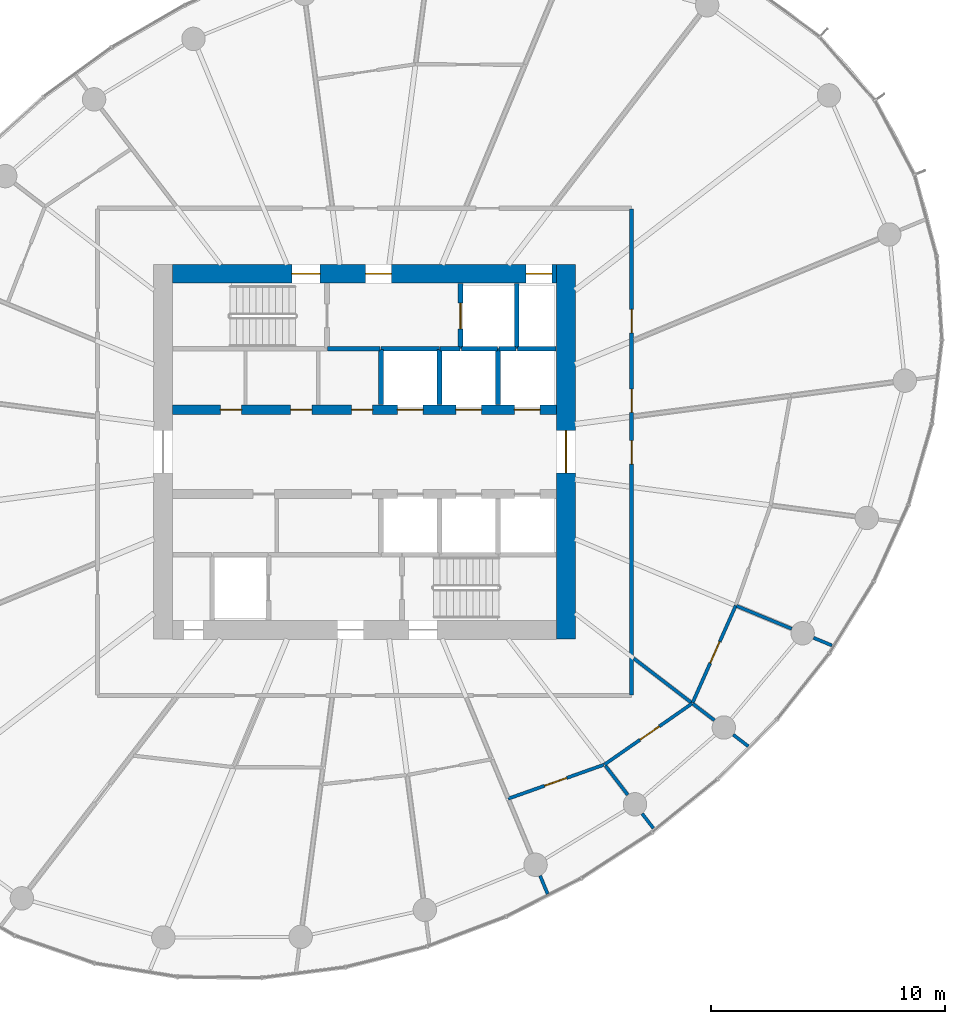
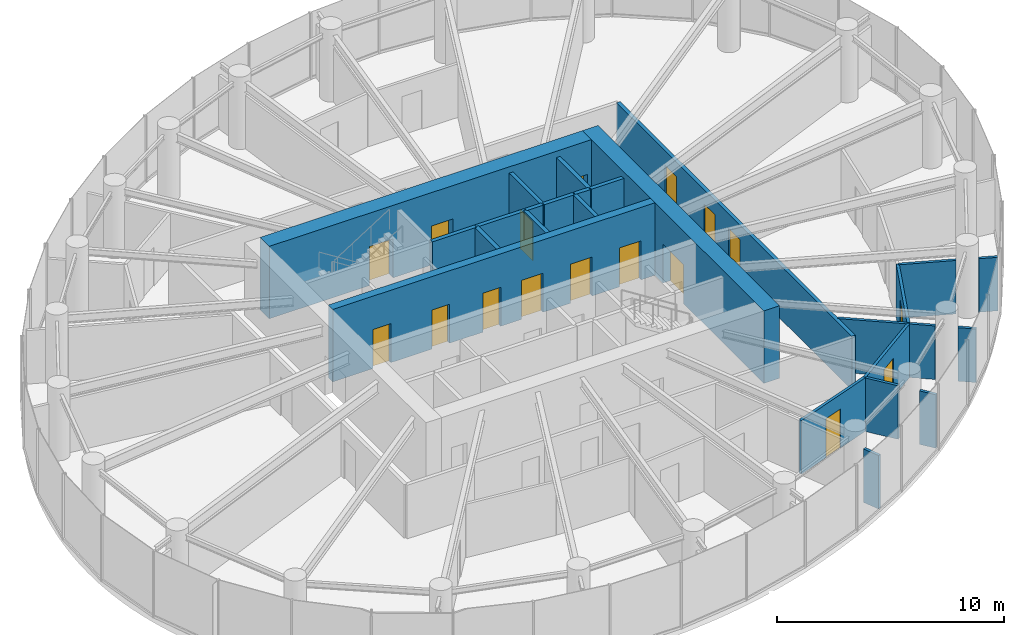
# One storey, part 10 of 14: 26 walls, 17 doors, 17 openings.
"""IFC4 building model written with IfcOpenShell, lengths in metres."""

from ifc_helpers import new_model, si_unit, direction, frame, frame_2d, origin, place, context, subcontext, project, spatial, rectangle, extrude, source, transform, mapped, material, layer, layer_set, type_object, element, fill, save


model = new_model("IFC4")

# Units and contexts
model_context = context("Model", 3, precision=1e-05, world=origin(), true_north=direction((0.0, 1.0)))
body_context = subcontext(model_context, "Body", "Model", "MODEL_VIEW")
ifc_project = project(units=[si_unit("LENGTHUNIT", "METRE"), si_unit("AREAUNIT", "SQUARE_METRE"), si_unit("VOLUMEUNIT", "CUBIC_METRE"), si_unit("PLANEANGLEUNIT", "RADIAN"), si_unit("MASSUNIT", "GRAM", prefix="KILO")], contexts=[model_context])

# Site, building, storey
site_placement = place(None, origin())
site = spatial("IfcSite", under=ifc_project, at=site_placement, CompositionType="ELEMENT")
building_placement = place(site_placement, origin())
building = spatial("IfcBuilding", under=site, at=building_placement, Name="Spindrift Exchange Tower", CompositionType="ELEMENT")
storey_placement = place(building_placement, frame((0.0, 0.0, 148.699951171875)))
storey = spatial("IfcBuildingStorey", under=building, at=storey_placement, Name="L35", CompositionType="ELEMENT", Elevation=148.699951171875)

# Wall, opening, door
ifc_material_1 = material(Name="Concrete 65 MPa", Category="concrete")
ifc_layer_1 = layer(ifc_material_1, 0.800048828125)
ifc_layer_set_1 = layer_set([ifc_layer_1], Name="RC Core Wall 800 Concrete 65 MPa")
wall_type_1 = type_object("IfcWallType", Name="RC Core Wall 800 Concrete 65 MPa", PredefinedType="SHEAR", material=ifc_layer_set_1)
wall_1_placement = place(storey_placement, frame((60.60009765625, 40.0, 0.0), z_axis=(0.0, 0.0, 1.0), x_axis=(0.0, 1.0, 0.0)))
wall_1 = element("IfcWall", 1, at=wall_1_placement, inside=storey, type_object=wall_type_1, Name="Core wall E L35", PredefinedType="SHEAR", context=body_context, shape_type="SweptSolid", body=[
    extrude(rectangle(XDim=16.0, YDim=0.800048828125, at=frame_2d((8.0, 0.0))), origin(), (0.0, 0.0, 1.0), 3.900146484375),
])
opening_1_placement = place(wall_1_placement, frame((7.10009765625, 0.0, 0.0)))
opening_1 = element("IfcOpeningElement", 2, at=opening_1_placement, cuts=wall_1, Name="Opening L35-D2", PredefinedType="OPENING", context=body_context, shape_type="SweptSolid", body=[
    extrude(rectangle(XDim=1.800048828125, YDim=2.10009765625, at=frame_2d((0.89990234375, 1.050048828125))), frame((0.0, 0.409912109375, 0.0), z_axis=(0.0, -1.0, 0.0), x_axis=(1.0, 0.0, 0.0)), (0.0, 0.0, 1.0), 0.820068359375),
])
ifc_material_2 = material(Name="Timber-core fire door", Category="wood")
door_type_1 = type_object("IfcDoorType", Name="DR-LOBBY-1800", OperationType="NOTDEFINED", PredefinedType="DOOR", material=ifc_material_2)
shared_shape_1 = source(origin(), body_context, "Body", "SweptSolid", [
    extrude(rectangle(XDim=1.800048828125, YDim=2.10009765625, at=frame_2d((0.89990234375, 1.050048828125))), frame((0.0, 0.02490234375, 0.0), z_axis=(0.0, -1.0, 0.0), x_axis=(1.0, 0.0, 0.0)), (0.0, 0.0, 1.0), 0.050048828125),
])
door_1_placement = place(opening_1_placement, origin())
door_1 = element("IfcDoor", 3, at=door_1_placement, inside=storey, type_object=door_type_1, Name="L35 Lobby door 2", OperationType="SINGLE_SWING_LEFT", OverallHeight=2.10009765625, OverallWidth=1.800048828125, PredefinedType="DOOR", context=body_context, shape_type="MappedRepresentation", body=[
    mapped(shared_shape_1, transform((0.0, 0.0, 0.0), scale=1.0)),
])
fill(opening_1, door_1)

# Wall, openings, doors
wall_2_placement = place(storey_placement, frame((60.199951171875, 55.60009765625, 0.0), z_axis=(0.0, 0.0, 1.0), x_axis=(-1.0, 0.0, 0.0)))
wall_2 = element("IfcWall", 4, at=wall_2_placement, inside=storey, type_object=wall_type_1, Name="Core wall N L35", PredefinedType="SHEAR", context=body_context, shape_type="SweptSolid", body=[
    extrude(rectangle(XDim=16.39990234375, YDim=0.800048828125, at=frame_2d((8.199951171875, 0.0))), origin(), (0.0, 0.0, 1.0), 3.900146484375),
])
opening_2_placement = place(wall_2_placement, frame((0.199951171875, 0.0, 0.0)))
opening_2 = element("IfcOpeningElement", 5, at=opening_2_placement, cuts=wall_2, Name="Opening L35-D11", PredefinedType="OPENING", context=body_context, shape_type="SweptSolid", body=[
    extrude(rectangle(XDim=1.10009765625, YDim=2.10009765625, at=frame_2d((0.550048828125, 1.050048828125))), frame((0.0, 0.409912109375, 0.0), z_axis=(0.0, -1.0, 0.0), x_axis=(1.0, 0.0, 0.0)), (0.0, 0.0, 1.0), 0.820068359375),
])
opening_3_placement = place(wall_2_placement, frame((10.10009765625, 0.0, 0.0)))
opening_3 = element("IfcOpeningElement", 6, at=opening_3_placement, cuts=wall_2, Name="Opening L35-D12", PredefinedType="OPENING", context=body_context, shape_type="SweptSolid", body=[
    extrude(rectangle(XDim=1.199951171875, YDim=2.10009765625, at=frame_2d((0.60009765625, 1.050048828125))), frame((0.0, 0.409912109375, 0.0), z_axis=(0.0, -1.0, 0.0), x_axis=(1.0, 0.0, 0.0)), (0.0, 0.0, 1.0), 0.820068359375),
])
opening_4_placement = place(wall_2_placement, frame((7.050048828125, 0.0, 0.0)))
opening_4 = element("IfcOpeningElement", 7, at=opening_4_placement, cuts=wall_2, Name="Opening L35-D14", PredefinedType="OPENING", context=body_context, shape_type="SweptSolid", body=[
    extrude(rectangle(XDim=1.10009765625, YDim=2.10009765625, at=frame_2d((0.550048828125, 1.050048828125))), frame((0.0, 0.409912109375, 0.0), z_axis=(0.0, -1.0, 0.0), x_axis=(1.0, 0.0, 0.0)), (0.0, 0.0, 1.0), 0.820068359375),
])
ifc_material_3 = material(Name="Stainless steel landing door", Category="steel")
door_type_2 = type_object("IfcDoorType", Name="DR-LANDING-1100-SL", OperationType="DOUBLE_DOOR_SLIDING", PredefinedType="USERDEFINED", material=ifc_material_3)
shared_shape_2 = source(origin(), body_context, "Body", "SweptSolid", [
    extrude(rectangle(XDim=1.10009765625, YDim=2.10009765625, at=frame_2d((0.550048828125, 1.050048828125))), frame((0.0, 0.02490234375, 0.0), z_axis=(0.0, -1.0, 0.0), x_axis=(1.0, 0.0, 0.0)), (0.0, 0.0, 1.0), 0.050048828125),
])
door_2_placement = place(opening_2_placement, origin())
door_2 = element("IfcDoor", 8, at=door_2_placement, inside=storey, type_object=door_type_2, Name="L35 Lift landing door 11", ObjectType="LANDING DOOR", OperationType="DOUBLE_DOOR_SLIDING", OverallHeight=2.10009765625, OverallWidth=1.10009765625, PredefinedType="USERDEFINED", context=body_context, shape_type="MappedRepresentation", body=[
    mapped(shared_shape_2, transform((0.0, 0.0, 0.0), scale=1.0)),
])
fill(opening_2, door_2)
ifc_material_4 = material(Name="Steel fire door", Category="steel")
door_type_3 = type_object("IfcDoorType", Name="DR-STAIR-1200", OperationType="NOTDEFINED", PredefinedType="DOOR", material=ifc_material_4)
shared_shape_3 = source(origin(), body_context, "Body", "SweptSolid", [
    extrude(rectangle(XDim=1.199951171875, YDim=2.10009765625, at=frame_2d((0.60009765625, 1.050048828125))), frame((0.0, 0.02490234375, 0.0), z_axis=(0.0, -1.0, 0.0), x_axis=(1.0, 0.0, 0.0)), (0.0, 0.0, 1.0), 0.050048828125),
])
door_3_placement = place(opening_3_placement, origin())
door_3 = element("IfcDoor", 9, at=door_3_placement, inside=storey, type_object=door_type_3, Name="L35 Stair door 12", OperationType="SINGLE_SWING_RIGHT", OverallHeight=2.10009765625, OverallWidth=1.199951171875, PredefinedType="DOOR", context=body_context, shape_type="MappedRepresentation", body=[
    mapped(shared_shape_3, transform((0.0, 0.0, 0.0), scale=1.0)),
])
fill(opening_3, door_3)
door_type_4 = type_object("IfcDoorType", Name="DR-LOBBY-1100", OperationType="NOTDEFINED", PredefinedType="DOOR", material=ifc_material_2)
shared_shape_4 = source(origin(), body_context, "Body", "SweptSolid", [
    extrude(rectangle(XDim=1.10009765625, YDim=2.10009765625, at=frame_2d((0.550048828125, 1.050048828125))), frame((0.0, 0.02490234375, 0.0), z_axis=(0.0, -1.0, 0.0), x_axis=(1.0, 0.0, 0.0)), (0.0, 0.0, 1.0), 0.050048828125),
])
door_4_placement = place(opening_4_placement, origin())
door_4 = element("IfcDoor", 10, at=door_4_placement, inside=storey, type_object=door_type_4, Name="L35 Lobby door 14", OperationType="SINGLE_SWING_RIGHT", OverallHeight=2.10009765625, OverallWidth=1.10009765625, PredefinedType="DOOR", context=body_context, shape_type="MappedRepresentation", body=[
    mapped(shared_shape_4, transform((0.0, 0.0, 0.0), scale=1.0)),
])
fill(opening_4, door_4)

ifc_layer_2 = layer(ifc_material_1, 0.39990234375)
ifc_layer_set_2 = layer_set([ifc_layer_2], Name="RC Spine Wall 400 Concrete 65 MPa")
wall_type_2 = type_object("IfcWallType", Name="RC Spine Wall 400 Concrete 65 MPa", PredefinedType="SHEAR", material=ifc_layer_set_2)
wall_3_placement = place(storey_placement, frame((43.800048828125, 49.800048828125, 0.0), z_axis=(0.0, 0.0, 1.0), x_axis=(1.0, 0.0, 0.0)))
wall_3 = element("IfcWall", 11, at=wall_3_placement, inside=storey, type_object=wall_type_2, Name="Core spine wall N L35", PredefinedType="SHEAR", context=body_context, shape_type="SweptSolid", body=[
    extrude(rectangle(XDim=16.39990234375, YDim=0.39990234375, at=frame_2d((8.199951171875, 0.0))), origin(), (0.0, 0.0, 1.0), 3.900146484375),
])
opening_5_placement = place(wall_3_placement, frame((9.60009765625, 0.0, 0.0)))
opening_5 = element("IfcOpeningElement", 12, at=opening_5_placement, cuts=wall_3, Name="Opening L35-D3", PredefinedType="OPENING", context=body_context, shape_type="SweptSolid", body=[
    extrude(rectangle(XDim=1.10009765625, YDim=2.10009765625, at=frame_2d((0.550048828125, 1.050048828125))), frame((0.0, 0.2099609375, 0.0), z_axis=(0.0, -1.0, 0.0), x_axis=(1.0, 0.0, 0.0)), (0.0, 0.0, 1.0), 0.419921875),
])
opening_6_placement = place(wall_3_placement, frame((12.10009765625, 0.0, 0.0)))
opening_6 = element("IfcOpeningElement", 13, at=opening_6_placement, cuts=wall_3, Name="Opening L35-D4", PredefinedType="OPENING", context=body_context, shape_type="SweptSolid", body=[
    extrude(rectangle(XDim=1.10009765625, YDim=2.10009765625, at=frame_2d((0.550048828125, 1.050048828125))), frame((0.0, 0.2099609375, 0.0), z_axis=(0.0, -1.0, 0.0), x_axis=(1.0, 0.0, 0.0)), (0.0, 0.0, 1.0), 0.419921875),
])
opening_7_placement = place(wall_3_placement, frame((14.60009765625, 0.0, 0.0)))
opening_7 = element("IfcOpeningElement", 14, at=opening_7_placement, cuts=wall_3, Name="Opening L35-D5", PredefinedType="OPENING", context=body_context, shape_type="SweptSolid", body=[
    extrude(rectangle(XDim=1.10009765625, YDim=2.10009765625, at=frame_2d((0.550048828125, 1.050048828125))), frame((0.0, 0.2099609375, 0.0), z_axis=(0.0, -1.0, 0.0), x_axis=(1.0, 0.0, 0.0)), (0.0, 0.0, 1.0), 0.419921875),
])
opening_8_placement = place(wall_3_placement, frame((2.050048828125, 0.0, 0.0)))
opening_8 = element("IfcOpeningElement", 15, at=opening_8_placement, cuts=wall_3, Name="Opening L35-D45", PredefinedType="OPENING", context=body_context, shape_type="SweptSolid", body=[
    extrude(rectangle(XDim=0.89990234375, YDim=2.10009765625, at=frame_2d((0.449951171875, 1.050048828125))), frame((0.0, 0.2099609375, 0.0), z_axis=(0.0, -1.0, 0.0), x_axis=(1.0, 0.0, 0.0)), (0.0, 0.0, 1.0), 0.419921875),
])
opening_9_placement = place(wall_3_placement, frame((5.050048828125, 0.0, 0.0)))
opening_9 = element("IfcOpeningElement", 16, at=opening_9_placement, cuts=wall_3, Name="Opening L35-D46", PredefinedType="OPENING", context=body_context, shape_type="SweptSolid", body=[
    extrude(rectangle(XDim=0.89990234375, YDim=2.10009765625, at=frame_2d((0.449951171875, 1.050048828125))), frame((0.0, 0.2099609375, 0.0), z_axis=(0.0, -1.0, 0.0), x_axis=(1.0, 0.0, 0.0)), (0.0, 0.0, 1.0), 0.419921875),
])
opening_10_placement = place(wall_3_placement, frame((7.64990234375, 0.0, 0.0)))
opening_10 = element("IfcOpeningElement", 17, at=opening_10_placement, cuts=wall_3, Name="Opening L35-D47", PredefinedType="OPENING", context=body_context, shape_type="SweptSolid", body=[
    extrude(rectangle(XDim=0.89990234375, YDim=2.10009765625, at=frame_2d((0.449951171875, 1.050048828125))), frame((0.0, 0.2099609375, 0.0), z_axis=(0.0, -1.0, 0.0), x_axis=(1.0, 0.0, 0.0)), (0.0, 0.0, 1.0), 0.419921875),
])
door_5_placement = place(opening_5_placement, origin())
door_5 = element("IfcDoor", 18, at=door_5_placement, inside=storey, type_object=door_type_2, Name="L35 Lift landing door 3", ObjectType="LANDING DOOR", OperationType="DOUBLE_DOOR_SLIDING", OverallHeight=2.10009765625, OverallWidth=1.10009765625, PredefinedType="USERDEFINED", context=body_context, shape_type="MappedRepresentation", body=[
    mapped(shared_shape_2, transform((0.0, 0.0, 0.0), scale=1.0)),
])
fill(opening_5, door_5)
door_6_placement = place(opening_6_placement, origin())
door_6 = element("IfcDoor", 19, at=door_6_placement, inside=storey, type_object=door_type_2, Name="L35 Lift landing door 4", ObjectType="LANDING DOOR", OperationType="DOUBLE_DOOR_SLIDING", OverallHeight=2.10009765625, OverallWidth=1.10009765625, PredefinedType="USERDEFINED", context=body_context, shape_type="MappedRepresentation", body=[
    mapped(shared_shape_2, transform((0.0, 0.0, 0.0), scale=1.0)),
])
fill(opening_6, door_6)
door_7_placement = place(opening_7_placement, origin())
door_7 = element("IfcDoor", 20, at=door_7_placement, inside=storey, type_object=door_type_2, Name="L35 Lift landing door 5", ObjectType="LANDING DOOR", OperationType="DOUBLE_DOOR_SLIDING", OverallHeight=2.10009765625, OverallWidth=1.10009765625, PredefinedType="USERDEFINED", context=body_context, shape_type="MappedRepresentation", body=[
    mapped(shared_shape_2, transform((0.0, 0.0, 0.0), scale=1.0)),
])
fill(opening_7, door_7)
ifc_material_5 = material(Name="Steel access door", Category="steel")
door_type_5 = type_object("IfcDoorType", Name="DR-RISER-900", OperationType="NOTDEFINED", PredefinedType="DOOR", material=ifc_material_5)
shared_shape_5 = source(origin(), body_context, "Body", "SweptSolid", [
    extrude(rectangle(XDim=0.89990234375, YDim=2.10009765625, at=frame_2d((0.449951171875, 1.050048828125))), frame((0.0, 0.02490234375, 0.0), z_axis=(0.0, -1.0, 0.0), x_axis=(1.0, 0.0, 0.0)), (0.0, 0.0, 1.0), 0.050048828125),
])
door_8_placement = place(opening_8_placement, origin())
door_8 = element("IfcDoor", 21, at=door_8_placement, inside=storey, type_object=door_type_5, Name="L35 Riser door 45", OperationType="SINGLE_SWING_LEFT", OverallHeight=2.10009765625, OverallWidth=0.89990234375, PredefinedType="DOOR", context=body_context, shape_type="MappedRepresentation", body=[
    mapped(shared_shape_5, transform((0.0, 0.0, 0.0), scale=1.0)),
])
fill(opening_8, door_8)
door_9_placement = place(opening_9_placement, origin())
door_9 = element("IfcDoor", 22, at=door_9_placement, inside=storey, type_object=door_type_5, Name="L35 Riser door 46", OperationType="SINGLE_SWING_RIGHT", OverallHeight=2.10009765625, OverallWidth=0.89990234375, PredefinedType="DOOR", context=body_context, shape_type="MappedRepresentation", body=[
    mapped(shared_shape_5, transform((0.0, 0.0, 0.0), scale=1.0)),
])
fill(opening_9, door_9)
door_10_placement = place(opening_10_placement, origin())
door_10 = element("IfcDoor", 23, at=door_10_placement, inside=storey, type_object=door_type_5, Name="L35 Riser door 47", OperationType="SINGLE_SWING_LEFT", OverallHeight=2.10009765625, OverallWidth=0.89990234375, PredefinedType="DOOR", context=body_context, shape_type="MappedRepresentation", body=[
    mapped(shared_shape_5, transform((0.0, 0.0, 0.0), scale=1.0)),
])
fill(opening_10, door_10)

ifc_material_6 = material(Name="Fire-rated plasterboard partition", Category="gypsum")
ifc_layer_3 = layer(ifc_material_6, 0.179931640625)
ifc_layer_set_3 = layer_set([ifc_layer_3], Name="W-CORR-180")
wall_type_3 = type_object("IfcWallType", Name="W-CORR-180", PredefinedType="PARTITIONING", material=ifc_layer_set_3)
wall_4_placement = place(storey_placement, frame((63.39990234375, 58.3701171875, 0.0), z_axis=(0.0, 0.0, 1.0), x_axis=(0.0, -1.0, 0.0)))
wall_4 = element("IfcWall", 24, at=wall_4_placement, inside=storey, type_object=wall_type_3, Name="L35 Partition wall 29", PredefinedType="PARTITIONING", context=body_context, shape_type="SweptSolid", body=[
    extrude(rectangle(XDim=20.740234375, YDim=0.179931640625, at=frame_2d((10.3701171875, 0.0))), origin(), (0.0, 0.0, 1.0), 2.880126953125),
])
opening_11_placement = place(wall_4_placement, frame((9.889892578125, 0.0, 0.0)))
opening_11 = element("IfcOpeningElement", 25, at=opening_11_placement, cuts=wall_4, Name="Opening L35-D28", PredefinedType="OPENING", context=body_context, shape_type="SweptSolid", body=[
    extrude(rectangle(XDim=1.0, YDim=2.10009765625, at=frame_2d((0.5, 1.050048828125))), frame((0.0, 0.099853515625, 0.0), z_axis=(0.0, -1.0, 0.0), x_axis=(1.0, 0.0, 0.0)), (0.0, 0.0, 1.0), 0.199951171875),
])
opening_12_placement = place(wall_4_placement, frame((7.68994140625, 0.0, 0.0)))
opening_12 = element("IfcOpeningElement", 26, at=opening_12_placement, cuts=wall_4, Name="Opening L35-D32", PredefinedType="OPENING", context=body_context, shape_type="SweptSolid", body=[
    extrude(rectangle(XDim=1.0, YDim=2.10009765625, at=frame_2d((0.5, 1.050048828125))), frame((0.0, 0.099853515625, 0.0), z_axis=(0.0, -1.0, 0.0), x_axis=(1.0, 0.0, 0.0)), (0.0, 0.0, 1.0), 0.199951171875),
])
opening_13_placement = place(wall_4_placement, frame((4.2900390625, 0.0, 0.0)))
opening_13 = element("IfcOpeningElement", 27, at=opening_13_placement, cuts=wall_4, Name="Opening L35-D33", PredefinedType="OPENING", context=body_context, shape_type="SweptSolid", body=[
    extrude(rectangle(XDim=1.0, YDim=2.10009765625, at=frame_2d((0.5, 1.050048828125))), frame((0.0, 0.099853515625, 0.0), z_axis=(0.0, -1.0, 0.0), x_axis=(1.0, 0.0, 0.0)), (0.0, 0.0, 1.0), 0.199951171875),
])
door_type_6 = type_object("IfcDoorType", Name="DR-ROOM-1000", OperationType="NOTDEFINED", PredefinedType="DOOR", material=ifc_material_2)
shared_shape_6 = source(origin(), body_context, "Body", "SweptSolid", [
    extrude(rectangle(XDim=1.0, YDim=2.10009765625, at=frame_2d((0.5, 1.050048828125))), frame((0.0, 0.02490234375, 0.0), z_axis=(0.0, -1.0, 0.0), x_axis=(1.0, 0.0, 0.0)), (0.0, 0.0, 1.0), 0.050048828125),
])
door_11_placement = place(opening_11_placement, origin())
door_11 = element("IfcDoor", 28, at=door_11_placement, inside=storey, type_object=door_type_6, Name="L35 Door 28", OperationType="SINGLE_SWING_RIGHT", OverallHeight=2.10009765625, OverallWidth=1.0, PredefinedType="DOOR", context=body_context, shape_type="MappedRepresentation", body=[
    mapped(shared_shape_6, transform((0.0, 0.0, 0.0), scale=1.0)),
])
fill(opening_11, door_11)
door_12_placement = place(opening_12_placement, origin())
door_12 = element("IfcDoor", 29, at=door_12_placement, inside=storey, type_object=door_type_6, Name="L35 Door 32", OperationType="SINGLE_SWING_RIGHT", OverallHeight=2.10009765625, OverallWidth=1.0, PredefinedType="DOOR", context=body_context, shape_type="MappedRepresentation", body=[
    mapped(shared_shape_6, transform((0.0, 0.0, 0.0), scale=1.0)),
])
fill(opening_12, door_12)
door_13_placement = place(opening_13_placement, origin())
door_13 = element("IfcDoor", 30, at=door_13_placement, inside=storey, type_object=door_type_6, Name="L35 Door 33", OperationType="SINGLE_SWING_LEFT", OverallHeight=2.10009765625, OverallWidth=1.0, PredefinedType="DOOR", context=body_context, shape_type="MappedRepresentation", body=[
    mapped(shared_shape_6, transform((0.0, 0.0, 0.0), scale=1.0)),
])
fill(opening_13, door_13)

# Wall, opening, door
ifc_layer_4 = layer(ifc_material_6, 0.139892578125)
ifc_layer_set_4 = layer_set([ifc_layer_4], Name="W-PART-140")
wall_type_4 = type_object("IfcWallType", Name="W-PART-140", PredefinedType="PARTITIONING", material=ifc_layer_set_4)
wall_5_placement = place(storey_placement, frame((65.9912109375, 37.26416015625, 0.0), z_axis=(0.0, 0.0, 1.0), x_axis=(-0.820422470547, -0.571757789471, 0.0)))
wall_5 = element("IfcWall", 31, at=wall_5_placement, inside=storey, type_object=wall_type_4, Name="L35 Partition wall 45", PredefinedType="PARTITIONING", context=body_context, shape_type="SweptSolid", body=[
    extrude(rectangle(XDim=4.5693359375, YDim=0.139892578125, at=frame_2d((2.28466796875, 0.0))), origin(), (0.0, 0.0, 1.0), 2.880126953125),
])
opening_14_placement = place(wall_5_placement, frame((1.71923828125, 0.0, 0.0)))
opening_14 = element("IfcOpeningElement", 32, at=opening_14_placement, cuts=wall_5, Name="Opening L35-D27", PredefinedType="OPENING", context=body_context, shape_type="SweptSolid", body=[
    extrude(rectangle(XDim=1.0, YDim=2.10009765625, at=frame_2d((0.5, 1.050048828125))), frame((0.0, 0.079833984375, 0.0), z_axis=(0.0, -1.0, 0.0), x_axis=(1.0, 0.0, 0.0)), (0.0, 0.0, 1.0), 0.159912109375),
])
door_14_placement = place(opening_14_placement, origin())
door_14 = element("IfcDoor", 33, at=door_14_placement, inside=storey, type_object=door_type_6, Name="L35 Door 27", OperationType="SINGLE_SWING_LEFT", OverallHeight=2.10009765625, OverallWidth=1.0, PredefinedType="DOOR", context=body_context, shape_type="MappedRepresentation", body=[
    mapped(shared_shape_6, transform((0.0, 0.0, 0.0), scale=1.0)),
])
fill(opening_14, door_14)

wall_6_placement = place(storey_placement, frame((67.84716796875, 41.435791015625, 0.0), z_axis=(0.0, 0.0, 1.0), x_axis=(-0.406478027922, -0.913660556671, 0.0)))
wall_6 = element("IfcWall", 34, at=wall_6_placement, inside=storey, type_object=wall_type_4, Name="L35 Partition wall 46", PredefinedType="PARTITIONING", context=body_context, shape_type="SweptSolid", body=[
    extrude(rectangle(XDim=4.535888671875, YDim=0.139892578125, at=frame_2d((2.26806640625, 0.0))), origin(), (0.0, 0.0, 1.0), 2.880126953125),
])
opening_15_placement = place(wall_6_placement, frame((1.68603515625, 0.0, 0.0)))
opening_15 = element("IfcOpeningElement", 35, at=opening_15_placement, cuts=wall_6, Name="Opening L35-D29", PredefinedType="OPENING", context=body_context, shape_type="SweptSolid", body=[
    extrude(rectangle(XDim=1.0, YDim=2.10009765625, at=frame_2d((0.5, 1.050048828125))), frame((0.0, 0.079833984375, 0.0), z_axis=(0.0, -1.0, 0.0), x_axis=(1.0, 0.0, 0.0)), (0.0, 0.0, 1.0), 0.159912109375),
])
door_15_placement = place(opening_15_placement, origin())
door_15 = element("IfcDoor", 36, at=door_15_placement, inside=storey, type_object=door_type_6, Name="L35 Door 29", OperationType="SINGLE_SWING_LEFT", OverallHeight=2.10009765625, OverallWidth=1.0, PredefinedType="DOOR", context=body_context, shape_type="MappedRepresentation", body=[
    mapped(shared_shape_6, transform((0.0, 0.0, 0.0), scale=1.0)),
])
fill(opening_15, door_15)

wall_7_placement = place(storey_placement, frame((62.214111328125, 34.6416015625, 0.0), z_axis=(0.0, 0.0, 1.0), x_axis=(-0.942495933597, -0.33421761646, 0.0)))
wall_7 = element("IfcWall", 37, at=wall_7_placement, inside=storey, type_object=wall_type_4, Name="L35 Partition wall 52", PredefinedType="PARTITIONING", context=body_context, shape_type="SweptSolid", body=[
    extrude(rectangle(XDim=4.330322265625, YDim=0.139892578125, at=frame_2d((2.1650390625, 0.0))), origin(), (0.0, 0.0, 1.0), 2.880126953125),
])
opening_16_placement = place(wall_7_placement, frame((1.6806640625, 0.0, 0.0)))
opening_16 = element("IfcOpeningElement", 38, at=opening_16_placement, cuts=wall_7, Name="Opening L35-D26", PredefinedType="OPENING", context=body_context, shape_type="SweptSolid", body=[
    extrude(rectangle(XDim=1.0, YDim=2.10009765625, at=frame_2d((0.5, 1.050048828125))), frame((0.0, 0.079833984375, 0.0), z_axis=(0.0, -1.0, 0.0), x_axis=(1.0, 0.0, 0.0)), (0.0, 0.0, 1.0), 0.159912109375),
])
door_16_placement = place(opening_16_placement, origin())
door_16 = element("IfcDoor", 39, at=door_16_placement, inside=storey, type_object=door_type_6, Name="L35 Door 26", OperationType="SINGLE_SWING_RIGHT", OverallHeight=2.10009765625, OverallWidth=1.0, PredefinedType="DOOR", context=body_context, shape_type="MappedRepresentation", body=[
    mapped(shared_shape_6, transform((0.0, 0.0, 0.0), scale=1.0)),
])
fill(opening_16, door_16)

# Walls
wall_8_placement = place(storey_placement, frame((63.489990234375, 39.183349609375, 0.0), z_axis=(0.0, 0.0, 1.0), x_axis=(0.793377890256, -0.608729433535, 0.0)))
element("IfcWall", 40, at=wall_8_placement, inside=storey, type_object=wall_type_4, Name="L35 Partition wall 60", PredefinedType="PARTITIONING", context=body_context, shape_type="SweptSolid", body=[
    extrude(rectangle(XDim=3.079345703125, YDim=0.139892578125, at=frame_2d((1.53955078125, 0.0))), origin(), (0.0, 0.0, 1.0), 2.880126953125),
])
wall_9_placement = place(storey_placement, frame((67.874755859375, 41.424560546875, 0.0), z_axis=(0.0, 0.0, 1.0), x_axis=(0.923861761945, -0.382726331491, 0.0)))
element("IfcWall", 41, at=wall_9_placement, inside=storey, type_object=wall_type_4, Name="L35 Partition wall 63", PredefinedType="PARTITIONING", context=body_context, shape_type="SweptSolid", body=[
    extrude(rectangle(XDim=2.55224609375, YDim=0.139892578125, at=frame_2d((1.276123046875, 0.0))), origin(), (0.0, 0.0, 1.0), 2.880126953125),
])
wall_10_placement = place(storey_placement, frame((62.28515625, 34.59619140625, 0.0), z_axis=(0.0, 0.0, 1.0), x_axis=(0.608683936364, -0.793412796476, 0.0)))
element("IfcWall", 42, at=wall_10_placement, inside=storey, type_object=wall_type_4, Name="L35 Partition wall 69", PredefinedType="PARTITIONING", context=body_context, shape_type="SweptSolid", body=[
    extrude(rectangle(XDim=1.5634765625, YDim=0.139892578125, at=frame_2d((0.78173828125, 0.0))), origin(), (0.0, 0.0, 1.0), 2.880126953125),
])
wall_11_placement = place(storey_placement, frame((66.01513671875, 37.245849609375, 0.0), z_axis=(0.0, 0.0, 1.0), x_axis=(0.793288065576, -0.608846487233, 0.0)))
element("IfcWall", 43, at=wall_11_placement, inside=storey, type_object=wall_type_4, Name="L35 Partition wall 73", PredefinedType="PARTITIONING", context=body_context, shape_type="SweptSolid", body=[
    extrude(rectangle(XDim=1.160888671875, YDim=0.139892578125, at=frame_2d((0.58056640625, 0.0))), origin(), (0.0, 0.0, 1.0), 2.880126953125),
])
wall_12_placement = place(storey_placement, frame((71.166015625, 40.061279296875, 0.0), z_axis=(0.0, 0.0, 1.0), x_axis=(0.923855963606, -0.38274032778, 0.0)))
element("IfcWall", 44, at=wall_12_placement, inside=storey, type_object=wall_type_4, Name="L35 Partition wall 85", PredefinedType="PARTITIONING", context=body_context, shape_type="SweptSolid", body=[
    extrude(rectangle(XDim=0.850830078125, YDim=0.139892578125, at=frame_2d((0.42529296875, 0.0))), origin(), (0.0, 0.0, 1.0), 2.880126953125),
])
wall_13_placement = place(storey_placement, frame((59.494140625, 29.90771484375, 0.0), z_axis=(0.0, 0.0, 1.0), x_axis=(0.382581654882, -0.923921683558, 0.0)))
element("IfcWall", 45, at=wall_13_placement, inside=storey, type_object=wall_type_4, Name="L35 Partition wall 86", PredefinedType="PARTITIONING", context=body_context, shape_type="SweptSolid", body=[
    extrude(rectangle(XDim=0.84423828125, YDim=0.139892578125, at=frame_2d((0.422119140625, 0.0))), origin(), (0.0, 0.0, 1.0), 2.880126953125),
])
wall_14_placement = place(storey_placement, frame((67.736572265625, 35.9248046875, 0.0), z_axis=(0.0, 0.0, 1.0), x_axis=(0.79344724315, -0.608639032873, 0.0)))
element("IfcWall", 46, at=wall_14_placement, inside=storey, type_object=wall_type_4, Name="L35 Partition wall 87", PredefinedType="PARTITIONING", context=body_context, shape_type="SweptSolid", body=[
    extrude(rectangle(XDim=0.815185546875, YDim=0.139892578125, at=frame_2d((0.40771484375, 0.0))), origin(), (0.0, 0.0, 1.0), 2.880126953125),
])
wall_15_placement = place(storey_placement, frame((63.85107421875, 32.555419921875, 0.0), z_axis=(0.0, 0.0, 1.0), x_axis=(0.608886809997, -0.793257116332, 0.0)))
element("IfcWall", 47, at=wall_15_placement, inside=storey, type_object=wall_type_4, Name="L35 Partition wall 89", PredefinedType="PARTITIONING", context=body_context, shape_type="SweptSolid", body=[
    extrude(rectangle(XDim=0.787841796875, YDim=0.139892578125, at=frame_2d((0.39404296875, 0.0))), origin(), (0.0, 0.0, 1.0), 2.880126953125),
])

# Wall, opening, door
ifc_material_7 = material(Name="Concrete 40 MPa", Category="concrete")
ifc_layer_5 = layer(ifc_material_7, 0.199951171875)
ifc_layer_set_5 = layer_set([ifc_layer_5], Name="W-SHAFT-200")
wall_type_5 = type_object("IfcWallType", Name="W-SHAFT-200", PredefinedType="SOLIDWALL", material=ifc_layer_set_5)
wall_16_placement = place(storey_placement, frame((56.10009765625, 55.179931640625, 0.0), z_axis=(0.0, 0.0, 1.0), x_axis=(0.0, -1.0, 0.0)))
wall_16 = element("IfcWall", 48, at=wall_16_placement, inside=storey, type_object=wall_type_5, Name="L35 Shaft wall 7", PredefinedType="SOLIDWALL", context=body_context, shape_type="SweptSolid", body=[
    extrude(rectangle(XDim=2.780029296875, YDim=0.199951171875, at=frame_2d((1.39013671875, 0.0))), origin(), (0.0, 0.0, 1.0), 3.580078125),
])
opening_17_placement = place(wall_16_placement, frame((0.830078125, 0.0, 0.0)))
opening_17 = element("IfcOpeningElement", 49, at=opening_17_placement, cuts=wall_16, Name="Opening L35-D9", PredefinedType="OPENING", context=body_context, shape_type="SweptSolid", body=[
    extrude(rectangle(XDim=1.10009765625, YDim=2.10009765625, at=frame_2d((0.550048828125, 1.050048828125))), frame((0.0, 0.10986328125, 0.0), z_axis=(0.0, -1.0, 0.0), x_axis=(1.0, 0.0, 0.0)), (0.0, 0.0, 1.0), 0.219970703125),
])
door_17_placement = place(opening_17_placement, origin())
door_17 = element("IfcDoor", 50, at=door_17_placement, inside=storey, type_object=door_type_2, Name="L35 Lift landing door 9", ObjectType="LANDING DOOR", OperationType="DOUBLE_DOOR_SLIDING", OverallHeight=2.10009765625, OverallWidth=1.10009765625, PredefinedType="USERDEFINED", context=body_context, shape_type="MappedRepresentation", body=[
    mapped(shared_shape_2, transform((0.0, 0.0, 0.0), scale=1.0)),
])
fill(opening_17, door_17)

# Walls
wall_17_placement = place(storey_placement, frame((58.5, 52.39990234375, 0.0), z_axis=(0.0, 0.0, 1.0), x_axis=(0.0, 1.0, 0.0)))
element("IfcWall", 51, at=wall_17_placement, inside=storey, type_object=wall_type_5, Name="L35 Shaft wall 8", PredefinedType="SOLIDWALL", context=body_context, shape_type="SweptSolid", body=[
    extrude(rectangle(XDim=2.780029296875, YDim=0.199951171875, at=frame_2d((1.39013671875, 0.0))), origin(), (0.0, 0.0, 1.0), 3.580078125),
])
wall_18_placement = place(storey_placement, frame((55.199951171875, 52.39990234375, 0.0), z_axis=(0.0, 0.0, 1.0), x_axis=(-1.0, 0.0, 0.0)))
element("IfcWall", 52, at=wall_18_placement, inside=storey, type_object=wall_type_5, Name="L35 Shaft wall 9", PredefinedType="SOLIDWALL", context=body_context, shape_type="SweptSolid", body=[
    extrude(rectangle(XDim=2.5, YDim=0.199951171875, at=frame_2d((1.25, 0.0))), origin(), (0.0, 0.0, 1.0), 3.580078125),
])
for number, where, z_axis, x_axis, name in (
    (53, (52.699951171875, 52.3701171875, 0.0), (0.0, 0.0, 1.0), (0.0, -1.0, 0.0), "L35 Shaft wall 14"),
    (54, (55.199951171875, 50.010009765625, 0.0), (0.0, 0.0, 1.0), (0.0, 1.0, 0.0), "L35 Shaft wall 16"),
):
    element("IfcWall", number, at=place(storey_placement, frame(where, z_axis=z_axis, x_axis=x_axis)), inside=storey, type_object=wall_type_5, Name=name, PredefinedType="SOLIDWALL", context=body_context, shape_type="SweptSolid", body=[
        extrude(rectangle(XDim=2.360107421875, YDim=0.199951171875, at=frame_2d((1.18017578125, 0.0))), origin(), (0.0, 0.0, 1.0), 3.580078125),
    ])
wall_19_placement = place(storey_placement, frame((57.699951171875, 50.010009765625, 0.0), z_axis=(0.0, 0.0, 1.0), x_axis=(0.0, 1.0, 0.0)))
element("IfcWall", 55, at=wall_19_placement, inside=storey, type_object=wall_type_5, Name="L35 Shaft wall 18", PredefinedType="SOLIDWALL", context=body_context, shape_type="SweptSolid", body=[
    extrude(rectangle(XDim=2.389892578125, YDim=0.199951171875, at=frame_2d((1.19482421875, 0.0))), origin(), (0.0, 0.0, 1.0), 3.580078125),
])
wall_20_placement = place(storey_placement, frame((60.179931640625, 52.39990234375, 0.0), z_axis=(0.0, 0.0, 1.0), x_axis=(-1.0, 0.0, 0.0)))
element("IfcWall", 56, at=wall_20_placement, inside=storey, type_object=wall_type_5, Name="L35 Shaft wall 21", PredefinedType="SOLIDWALL", context=body_context, shape_type="SweptSolid", body=[
    extrude(rectangle(XDim=1.64990234375, YDim=0.199951171875, at=frame_2d((0.824951171875, 0.0))), origin(), (0.0, 0.0, 1.0), 3.580078125),
])
wall_21_placement = place(storey_placement, frame((57.669921875, 52.39990234375, 0.0), z_axis=(0.0, 0.0, 1.0), x_axis=(-1.0, 0.0, 0.0)))
element("IfcWall", 57, at=wall_21_placement, inside=storey, type_object=wall_type_5, Name="L35 Shaft wall 23", PredefinedType="SOLIDWALL", context=body_context, shape_type="SweptSolid", body=[
    extrude(rectangle(XDim=1.5400390625, YDim=0.199951171875, at=frame_2d((0.77001953125, 0.0))), origin(), (0.0, 0.0, 1.0), 3.580078125),
])
wall_22_placement = place(storey_placement, frame((56.070068359375, 52.39990234375, 0.0), z_axis=(0.0, 0.0, 1.0), x_axis=(-1.0, 0.0, 0.0)))
element("IfcWall", 58, at=wall_22_placement, inside=storey, type_object=wall_type_5, Name="L35 Shaft wall 25", PredefinedType="SOLIDWALL", context=body_context, shape_type="SweptSolid", body=[
    extrude(rectangle(XDim=0.840087890625, YDim=0.199951171875, at=frame_2d((0.419921875, 0.0))), origin(), (0.0, 0.0, 1.0), 3.580078125),
])
wall_23_placement = place(storey_placement, frame((58.469970703125, 52.39990234375, 0.0), z_axis=(0.0, 0.0, 1.0), x_axis=(-1.0, 0.0, 0.0)))
element("IfcWall", 59, at=wall_23_placement, inside=storey, type_object=wall_type_5, Name="L35 Shaft wall 26", PredefinedType="SOLIDWALL", context=body_context, shape_type="SweptSolid", body=[
    extrude(rectangle(XDim=0.739990234375, YDim=0.199951171875, at=frame_2d((0.3701171875, 0.0))), origin(), (0.0, 0.0, 1.0), 3.580078125),
])
ifc_layer_6 = layer(ifc_material_7, 0.199951171875)
ifc_layer_set_6 = layer_set([ifc_layer_6], Name="W-SHAFT-200-LB")
wall_type_6 = type_object("IfcWallType", Name="W-SHAFT-200-LB", PredefinedType="SOLIDWALL", material=ifc_layer_set_6)
wall_24_placement = place(storey_placement, frame((50.429931640625, 52.39990234375, 0.0), z_axis=(0.0, 0.0, 1.0), x_axis=(1.0, 0.0, 0.0)))
element("IfcWall", 60, at=wall_24_placement, inside=storey, type_object=wall_type_6, Name="L35 Shaft wall 19", PredefinedType="SOLIDWALL", context=body_context, shape_type="SweptSolid", body=[
    extrude(rectangle(XDim=2.239990234375, YDim=0.199951171875, at=frame_2d((1.1201171875, 0.0))), origin(), (0.0, 0.0, 1.0), 3.580078125),
])

save(model, "model.ifc")
